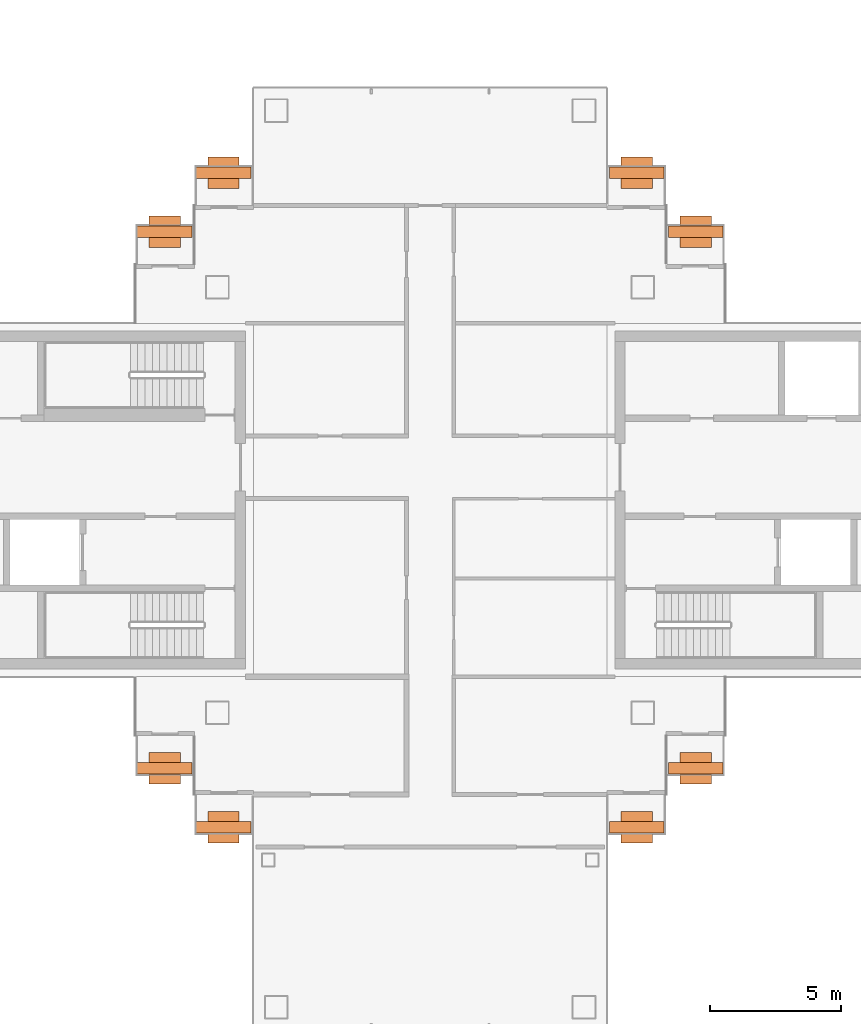
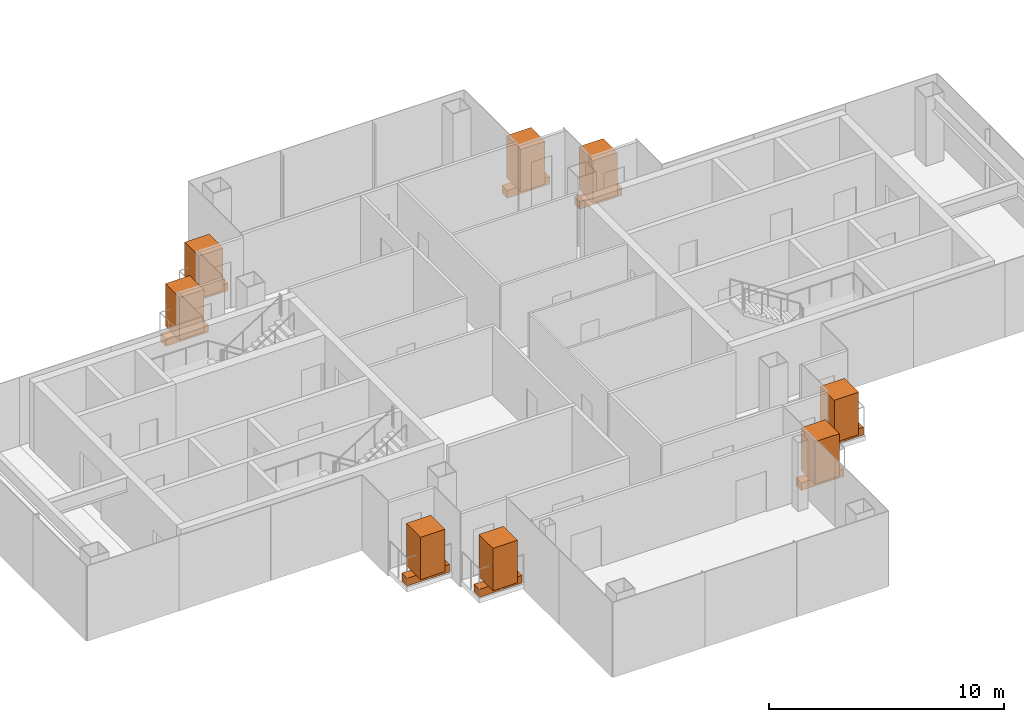
# One storey, part 16 of 16: 8 geographic elements, 8 proxies.
"""IFC4 building model written with IfcOpenShell, lengths in metres."""

from ifc_helpers import new_model, si_unit, direction, frame, origin, origin_2d, place, context, subcontext, project, spatial, rectangle, extrude, material, type_object, element, save


model = new_model("IFC4")

# Units and contexts
model_context = context("Model", 3, precision=1e-05, world=origin(), true_north=direction((0.0, 1.0)))
body_context = subcontext(model_context, "Body", "Model", "MODEL_VIEW")
ifc_project = project(units=[si_unit("LENGTHUNIT", "METRE"), si_unit("AREAUNIT", "SQUARE_METRE"), si_unit("VOLUMEUNIT", "CUBIC_METRE"), si_unit("PLANEANGLEUNIT", "RADIAN"), si_unit("MASSUNIT", "GRAM", prefix="KILO")], contexts=[model_context])

# Site, building, storey
site_placement = place(None, origin())
site = spatial("IfcSite", under=ifc_project, at=site_placement, CompositionType="ELEMENT")
building_placement = place(site_placement, origin())
building = spatial("IfcBuilding", under=site, at=building_placement, Name="Shamsa Quay Exchange Towers", CompositionType="ELEMENT")
storey_placement = place(building_placement, frame((0.0, 0.0, 265.5)))
storey = spatial("IfcBuildingStorey", under=building, at=storey_placement, Name="L64", CompositionType="ELEMENT", Elevation=265.5)

# Proxies
ifc_material_1 = material(Name="Reinforced concrete C30/37, black glass-fibre faced", Category="concrete")
building_element_proxy_type = type_object("IfcBuildingElementProxyType", Name="BALCONY PLANTER", PredefinedType="USERDEFINED", material=ifc_material_1)
for number, where, z_axis, x_axis, name in (
    (1, (-23.60595703125, 10.2451171875, 0.0), (0.0, 0.0, 1.0), (-1.0, 0.0, 0.0), "PLANTER T1-PKEN L64"),
    (2, (-25.85595703125, 12.4951171875, 0.0), (0.0, 0.0, 1.0), (-1.0, 0.0, 0.0), "PLANTER T1-PKEN L64"),
):
    element("IfcBuildingElementProxy", number, at=place(storey_placement, frame(where, z_axis=z_axis, x_axis=x_axis)), inside=storey, type_object=building_element_proxy_type, Name=name, ObjectType="PLANTER", PredefinedType="USERDEFINED", context=body_context, shape_type="SweptSolid", body=[
        extrude(rectangle(XDim=2.092041015625, YDim=0.449951171875, at=origin_2d()), origin(), (0.0, 0.0, 1.0), 0.39990234375),
    ])
for number, where, name in (
    (3, (-23.60595703125, -10.2451171875, 0.0), "PLANTER T1-PKES L64"),
    (4, (-25.85595703125, -12.4951171875, 0.0), "PLANTER T1-PKES L64"),
):
    element("IfcBuildingElementProxy", number, at=place(storey_placement, frame(where)), inside=storey, type_object=building_element_proxy_type, Name=name, ObjectType="PLANTER", PredefinedType="USERDEFINED", context=body_context, shape_type="SweptSolid", body=[
        extrude(rectangle(XDim=2.092041015625, YDim=0.449951171875, at=origin_2d()), origin(), (0.0, 0.0, 1.0), 0.39990234375),
    ])
for number, where, z_axis, x_axis, name in (
    (5, (-41.64404296875, 12.4951171875, 0.0), (0.0, 0.0, 1.0), (-1.0, 0.0, 0.0), "PLANTER T1-PKWN L64"),
    (6, (-43.89404296875, 10.2451171875, 0.0), (0.0, 0.0, 1.0), (-1.0, 0.0, 0.0), "PLANTER T1-PKWN L64"),
):
    element("IfcBuildingElementProxy", number, at=place(storey_placement, frame(where, z_axis=z_axis, x_axis=x_axis)), inside=storey, type_object=building_element_proxy_type, Name=name, ObjectType="PLANTER", PredefinedType="USERDEFINED", context=body_context, shape_type="SweptSolid", body=[
        extrude(rectangle(XDim=2.092041015625, YDim=0.449951171875, at=origin_2d()), origin(), (0.0, 0.0, 1.0), 0.39990234375),
    ])
for number, where, name in (
    (7, (-43.89404296875, -10.2451171875, 0.0), "PLANTER T1-PKWS L64"),
    (8, (-41.64404296875, -12.4951171875, 0.0), "PLANTER T1-PKWS L64"),
):
    element("IfcBuildingElementProxy", number, at=place(storey_placement, frame(where)), inside=storey, type_object=building_element_proxy_type, Name=name, ObjectType="PLANTER", PredefinedType="USERDEFINED", context=body_context, shape_type="SweptSolid", body=[
        extrude(rectangle(XDim=2.092041015625, YDim=0.449951171875, at=origin_2d()), origin(), (0.0, 0.0, 1.0), 0.39990234375),
    ])

# Geographic elements
ifc_material_2 = material(Name="Planting")
geographic_element_type = type_object("IfcGeographicElementType", Name="BALCONY TREE", PredefinedType="USERDEFINED", material=ifc_material_2)
for number, where, z_axis, x_axis, name in (
    (9, (-23.60595703125, 10.2451171875, 0.39990234375), (0.0, 0.0, 1.0), (-1.0, 0.0, 0.0), "TREE T1-PKEN L64"),
    (10, (-25.85595703125, 12.4951171875, 0.39990234375), (0.0, 0.0, 1.0), (-1.0, 0.0, 0.0), "TREE T1-PKEN L64"),
):
    element("IfcGeographicElement", number, at=place(storey_placement, frame(where, z_axis=z_axis, x_axis=x_axis)), inside=storey, type_object=geographic_element_type, Name=name, ObjectType="TREE", PredefinedType="USERDEFINED", context=body_context, shape_type="SweptSolid", body=[
        extrude(rectangle(XDim=1.199951171875, YDim=1.199951171875, at=origin_2d()), origin(), (0.0, 0.0, 1.0), 2.199951171875),
    ])
for number, where, name in (
    (11, (-23.60595703125, -10.2451171875, 0.39990234375), "TREE T1-PKES L64"),
    (12, (-25.85595703125, -12.4951171875, 0.39990234375), "TREE T1-PKES L64"),
):
    element("IfcGeographicElement", number, at=place(storey_placement, frame(where)), inside=storey, type_object=geographic_element_type, Name=name, ObjectType="TREE", PredefinedType="USERDEFINED", context=body_context, shape_type="SweptSolid", body=[
        extrude(rectangle(XDim=1.199951171875, YDim=1.199951171875, at=origin_2d()), origin(), (0.0, 0.0, 1.0), 2.199951171875),
    ])
for number, where, z_axis, x_axis, name in (
    (13, (-41.64404296875, 12.4951171875, 0.39990234375), (0.0, 0.0, 1.0), (-1.0, 0.0, 0.0), "TREE T1-PKWN L64"),
    (14, (-43.89404296875, 10.2451171875, 0.39990234375), (0.0, 0.0, 1.0), (-1.0, 0.0, 0.0), "TREE T1-PKWN L64"),
):
    element("IfcGeographicElement", number, at=place(storey_placement, frame(where, z_axis=z_axis, x_axis=x_axis)), inside=storey, type_object=geographic_element_type, Name=name, ObjectType="TREE", PredefinedType="USERDEFINED", context=body_context, shape_type="SweptSolid", body=[
        extrude(rectangle(XDim=1.199951171875, YDim=1.199951171875, at=origin_2d()), origin(), (0.0, 0.0, 1.0), 2.199951171875),
    ])
for number, where, name in (
    (15, (-43.89404296875, -10.2451171875, 0.39990234375), "TREE T1-PKWS L64"),
    (16, (-41.64404296875, -12.4951171875, 0.39990234375), "TREE T1-PKWS L64"),
):
    element("IfcGeographicElement", number, at=place(storey_placement, frame(where)), inside=storey, type_object=geographic_element_type, Name=name, ObjectType="TREE", PredefinedType="USERDEFINED", context=body_context, shape_type="SweptSolid", body=[
        extrude(rectangle(XDim=1.199951171875, YDim=1.199951171875, at=origin_2d()), origin(), (0.0, 0.0, 1.0), 2.199951171875),
    ])

save(model, "model.ifc")
